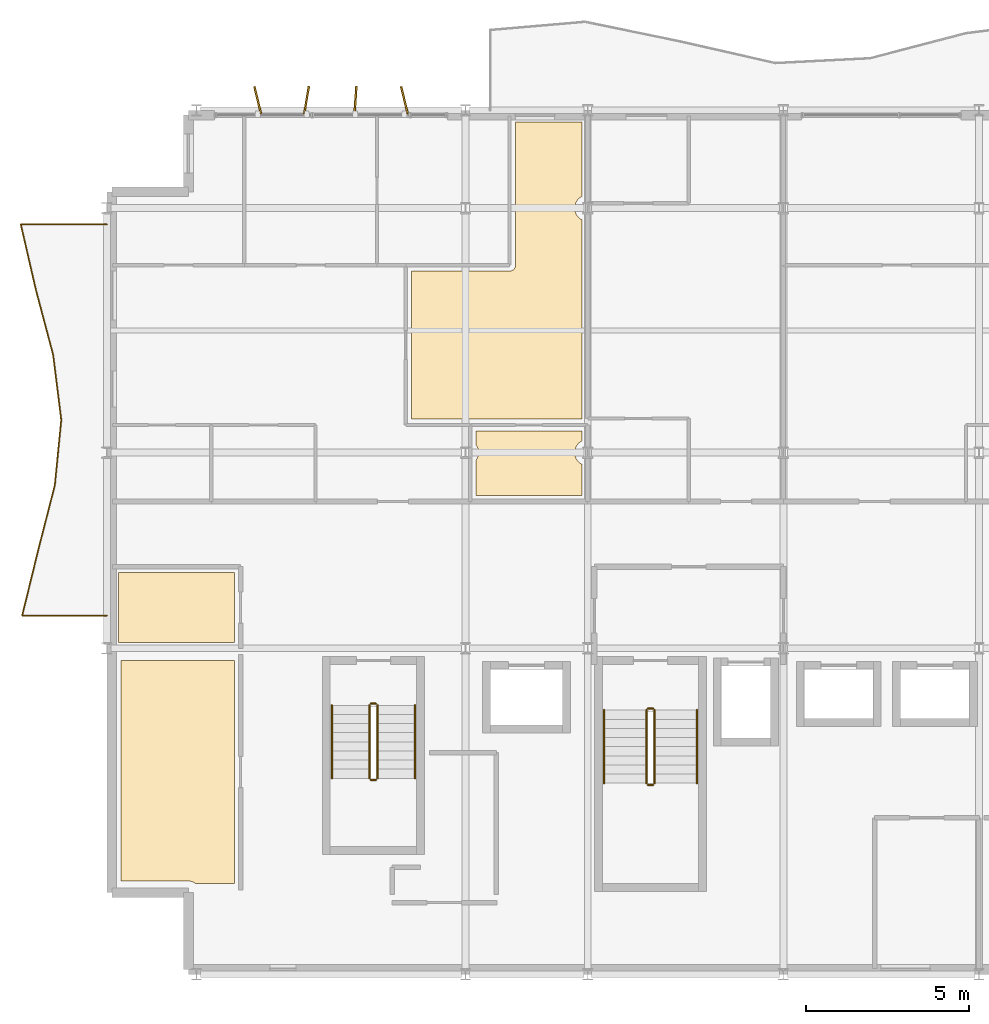
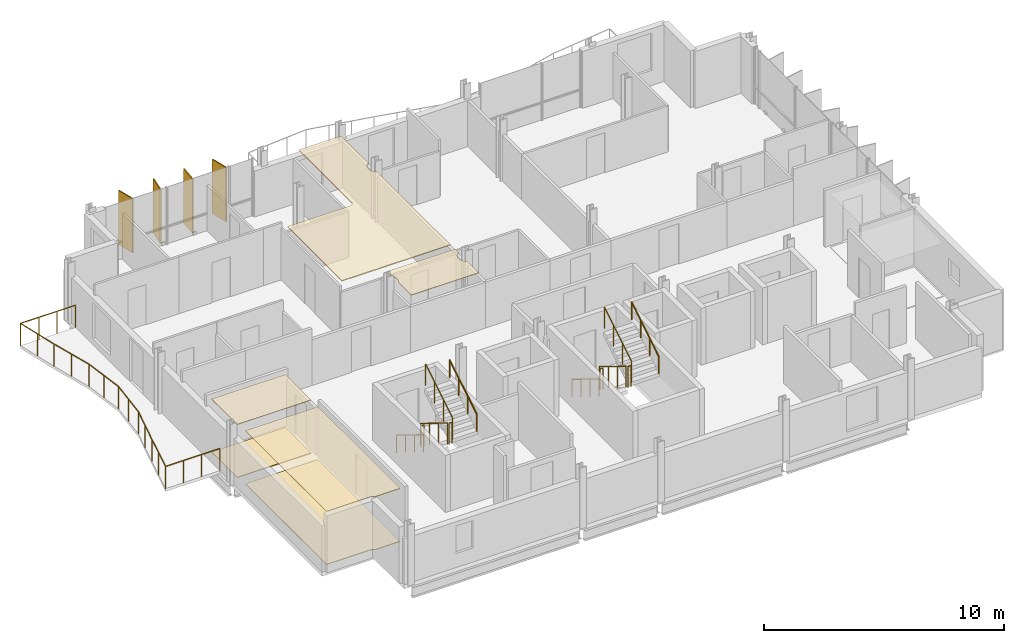
# One storey, part 12 of 13: 13 railings, 6 coverings, 4 shading devices.
"""IFC4 building model written with IfcOpenShell, lengths in metres."""

from ifc_helpers import new_model, si_unit, direction, frame, origin, origin_2d, place, context, subcontext, project, spatial, polyline, rectangle, circle, outline, extrude, material, layer, layer_set, type_object, element, save


model = new_model("IFC4")

# Units and contexts
model_context = context("Model", 3, precision=1e-05, world=origin(), true_north=direction((0.0, 1.0)))
body_context = subcontext(model_context, "Body", "Model", "MODEL_VIEW")
ifc_project = project(units=[si_unit("LENGTHUNIT", "METRE"), si_unit("AREAUNIT", "SQUARE_METRE"), si_unit("VOLUMEUNIT", "CUBIC_METRE"), si_unit("PLANEANGLEUNIT", "RADIAN"), si_unit("MASSUNIT", "GRAM", prefix="KILO")], contexts=[model_context])

# Site, building, storey
site_placement = place(None, origin())
site = spatial("IfcSite", under=ifc_project, at=site_placement, CompositionType="ELEMENT")
building_placement = place(site_placement, origin())
building = spatial("IfcBuilding", under=site, at=building_placement, Name="Brevholm Reach", CompositionType="ELEMENT")
storey_placement = place(building_placement, frame((0.0, 0.0, 224.199951171875)))
storey = spatial("IfcBuildingStorey", under=building, at=storey_placement, Name="L68", CompositionType="ELEMENT", Elevation=224.199951171875)

# Coverings
ifc_material_1 = material(Name="Perforated Mineral-Fibre Class-A Acoustic Suspended Ceiling", Category="gypsum")
ifc_layer_1 = layer(ifc_material_1, 0.044921875)
ifc_layer_set_1 = layer_set([ifc_layer_1], Name="Perforated Mineral-Fibre Class-A Acoustic Suspended Ceiling")
covering_type_1 = type_object("IfcCoveringType", Name="COV-CLG-AC", PredefinedType="CEILING", material=ifc_layer_set_1)
covering_1_placement = place(storey_placement, frame((0.0, 0.0, 2.675048828125)))
element("IfcCovering", 1, at=covering_1_placement, inside=storey, type_object=covering_type_1, Name="L68 Suspended Ceiling L68-29", PredefinedType="CEILING", context=body_context, shape_type="SweptSolid", body=[
    extrude(outline(polyline([(36.597900390625, 17.030029296875), (36.597900390625, 21.566162109375), (39.603515625, 21.56689453125), (39.62109375, 21.56787109375), (39.638671875, 21.5703125), (39.65576171875, 21.57470703125), (39.67236328125, 21.58056640625), (39.6884765625, 21.588134765625), (39.70361328125, 21.59716796875), (39.7177734375, 21.60791015625), (39.730712890625, 21.61962890625), (39.74267578125, 21.6328125), (39.753173828125, 21.64697265625), (39.76220703125, 21.662109375), (39.769775390625, 21.677978515625), (39.775634765625, 21.694580078125), (39.780029296875, 21.711669921875), (39.78271484375, 21.729248046875), (39.783447265625, 21.746826171875), (39.784912109375, 26.139892578125), (41.820068359375, 26.139892578125), (41.820068359375, 23.856689453125), (41.811279296875, 23.852783203125), (41.77783203125, 23.83251953125), (41.74609375, 23.80908203125), (41.71728515625, 23.78271484375), (41.69091796875, 23.75390625), (41.66748046875, 23.72216796875), (41.647216796875, 23.688720703125), (41.63037109375, 23.653076171875), (41.6171875, 23.6162109375), (41.607666015625, 23.577880859375), (41.601806640625, 23.539306640625), (41.60009765625, 23.5), (41.601806640625, 23.460693359375), (41.607666015625, 23.422119140625), (41.6171875, 23.3837890625), (41.63037109375, 23.346923828125), (41.647216796875, 23.311279296875), (41.66748046875, 23.27783203125), (41.69091796875, 23.24609375), (41.71728515625, 23.21728515625), (41.74609375, 23.19091796875), (41.77783203125, 23.16748046875), (41.811279296875, 23.147216796875), (41.820068359375, 23.143310546875), (41.820068359375, 17.033935546875), (38.39990234375, 17.033935546875), (38.38232421875, 17.033203125), (38.364990234375, 17.030517578125), (38.36279296875, 17.030029296875), (36.597900390625, 17.030029296875)])), origin(), (0.0, 0.0, 1.0), 0.044921875),
])
ifc_material_2 = material(Name="Moisture-Resistant Skimmed Gypsum Plasterboard Ceiling", Category="gypsum")
ifc_layer_2 = layer(ifc_material_2, 0.030029296875)
ifc_layer_set_2 = layer_set([ifc_layer_2], Name="Moisture-Resistant Skimmed Gypsum Plasterboard Ceiling")
covering_type_2 = type_object("IfcCoveringType", Name="COV-CLG-GYP", PredefinedType="CEILING", material=ifc_layer_set_2)
covering_2_placement = place(storey_placement, frame((0.0, 0.0, 2.68994140625)))
element("IfcCovering", 2, at=covering_2_placement, inside=storey, type_object=covering_type_2, Name="L68 Suspended Ceiling L68-11", PredefinedType="CEILING", context=body_context, shape_type="SweptSolid", body=[
    extrude(outline(polyline([(31.166015625, 9.6201171875), (31.166015625, 2.780029296875), (29.9736328125, 2.780029296875), (29.94189453125, 2.803466796875), (29.92724609375, 2.81298828125), (29.911865234375, 2.821533203125), (29.8955078125, 2.828125), (29.845703125, 2.845947265625), (29.82470703125, 2.85205078125), (29.802978515625, 2.855712890625), (29.767822265625, 2.859130859375), (29.75, 2.860107421875), (27.679931640625, 2.860107421875), (27.679931640625, 9.6201171875), (31.166015625, 9.6201171875)])), origin(), (0.0, 0.0, 1.0), 0.030029296875),
])
covering_3_placement = place(storey_placement, frame((0.0, 0.0, 2.68994140625)))
element("IfcCovering", 3, at=covering_3_placement, inside=storey, type_object=covering_type_2, Name="L68 Suspended Ceiling L68-22", PredefinedType="CEILING", context=body_context, shape_type="SweptSolid", body=[
    extrude(outline(polyline([(27.610107421875, 10.179931640625), (27.610107421875, 12.31591796875), (31.166015625, 12.31591796875), (31.166015625, 10.179931640625), (27.610107421875, 10.179931640625)])), origin(), (0.0, 0.0, 1.0), 0.030029296875),
])
covering_4_placement = place(storey_placement, frame((0.0, 0.0, 2.68994140625)))
element("IfcCovering", 4, at=covering_4_placement, inside=storey, type_object=covering_type_2, Name="L68 Suspended Ceiling L68-25", PredefinedType="CEILING", context=body_context, shape_type="SweptSolid", body=[
    extrude(outline(polyline([(38.580078125, 15.7744140625), (38.58251953125, 15.77783203125), (38.602783203125, 15.811279296875), (38.61962890625, 15.846923828125), (38.6328125, 15.8837890625), (38.642333984375, 15.922119140625), (38.648193359375, 15.960693359375), (38.64990234375, 16.0), (38.648193359375, 16.039306640625), (38.642333984375, 16.077880859375), (38.6328125, 16.1162109375), (38.61962890625, 16.153076171875), (38.602783203125, 16.188720703125), (38.58251953125, 16.22216796875), (38.580078125, 16.2255859375), (38.580078125, 16.669921875), (41.820068359375, 16.669921875), (41.820068359375, 16.356689453125), (41.811279296875, 16.352783203125), (41.77783203125, 16.33251953125), (41.74609375, 16.30908203125), (41.71728515625, 16.28271484375), (41.69091796875, 16.25390625), (41.66748046875, 16.22216796875), (41.647216796875, 16.188720703125), (41.63037109375, 16.153076171875), (41.6171875, 16.1162109375), (41.607666015625, 16.077880859375), (41.601806640625, 16.039306640625), (41.60009765625, 16.0), (41.601806640625, 15.960693359375), (41.607666015625, 15.922119140625), (41.6171875, 15.8837890625), (41.63037109375, 15.846923828125), (41.647216796875, 15.811279296875), (41.66748046875, 15.77783203125), (41.69091796875, 15.74609375), (41.71728515625, 15.71728515625), (41.74609375, 15.69091796875), (41.77783203125, 15.66748046875), (41.811279296875, 15.647216796875), (41.820068359375, 15.643310546875), (41.820068359375, 14.68408203125), (38.580078125, 14.68408203125), (38.580078125, 15.7744140625)])), origin(), (0.0, 0.0, 1.0), 0.030029296875),
])
ifc_material_3 = material(Name="Honed Portland-Aggregate Resin Terrazzo Flooring", Category="concrete")
ifc_layer_3 = layer(ifc_material_3, 0.031982421875)
ifc_layer_set_3 = layer_set([ifc_layer_3], Name="Honed Portland-Aggregate Resin Terrazzo Flooring")
covering_type_3 = type_object("IfcCoveringType", Name="COV-FLR-TRZ", PredefinedType="FLOORING", material=ifc_layer_set_3)
covering_5_placement = place(storey_placement, origin())
element("IfcCovering", 5, at=covering_5_placement, inside=storey, type_object=covering_type_3, Name="L68 Floor Finish L68-11", PredefinedType="FLOORING", context=body_context, shape_type="SweptSolid", body=[
    extrude(outline(polyline([(31.166015625, 9.6201171875), (31.166015625, 2.780029296875), (29.9736328125, 2.780029296875), (29.94189453125, 2.803466796875), (29.92724609375, 2.81298828125), (29.911865234375, 2.821533203125), (29.8955078125, 2.828125), (29.845703125, 2.845947265625), (29.82470703125, 2.85205078125), (29.802978515625, 2.855712890625), (29.767822265625, 2.859130859375), (29.75, 2.860107421875), (27.679931640625, 2.860107421875), (27.679931640625, 9.6201171875), (31.166015625, 9.6201171875)])), origin(), (0.0, 0.0, 1.0), 0.031982421875),
])
covering_6_placement = place(storey_placement, origin())
element("IfcCovering", 6, at=covering_6_placement, inside=storey, type_object=covering_type_3, Name="L68 Floor Finish L68-22", PredefinedType="FLOORING", context=body_context, shape_type="SweptSolid", body=[
    extrude(outline(polyline([(27.610107421875, 10.179931640625), (27.610107421875, 12.31591796875), (31.166015625, 12.31591796875), (31.166015625, 10.179931640625), (27.610107421875, 10.179931640625)])), origin(), (0.0, 0.0, 1.0), 0.031982421875),
])

# Railings
ifc_material_4 = material(Name="Brushed Stainless Steel EN 1.4401 and Laminated Glass", Category="steel")
railing_type_1 = type_object("IfcRailingType", Name="RAL-BALC-1150", PredefinedType="BALUSTRADE", material=ifc_material_4)
railing_1_placement = place(storey_placement, frame((27.25, 23.0, 0.0)))
element("IfcRailing", 7, at=railing_1_placement, inside=storey, type_object=railing_type_1, Name="L68 Guard Balustrade RAL-L68-BAL-SLOT", PredefinedType="BALUSTRADE", context=body_context, shape_type="SweptSolid", body=[
    extrude(circle(Radius=0.02392578125, at=origin_2d()), frame((0.0, 0.0, 1.1259765625), z_axis=(-1.0, 0.0, 0.0), x_axis=(0.0, -1.0, 0.0)), (0.0, 0.0, 1.0), 2.64111328125),
    extrude(circle(Radius=0.02392578125, at=origin_2d()), frame((-2.64111328125, 0.0, 1.1259765625), z_axis=(0.224355574123, -0.974507350593, 0.0), x_axis=(0.974507350593, 0.224355574123, 0.0)), (0.0, 0.0, 1.0), 2.05224609375),
    extrude(circle(Radius=0.02392578125, at=origin_2d()), frame((-2.1806640625, -2.0, 1.1259765625), z_axis=(0.256391956145, -0.966572896798, 0.0), x_axis=(0.966572896798, 0.256391956145, 0.0)), (0.0, 0.0, 1.0), 2.069091796875),
    extrude(circle(Radius=0.02392578125, at=origin_2d()), frame((-1.650146484375, -4.0, 1.1259765625), z_axis=(0.123676917918, -0.992322538278, 0.0), x_axis=(0.992322538278, 0.123676917918, 0.0)), (0.0, 0.0, 1.0), 2.015380859375),
    extrude(circle(Radius=0.02392578125, at=origin_2d()), frame((-1.40087890625, -6.0, 1.1259765625), z_axis=(-0.097915884232, -0.995194694326, 0.0), x_axis=(0.995194694326, -0.097915884232, 0.0)), (0.0, 0.0, 1.0), 2.009765625),
    extrude(circle(Radius=0.02392578125, at=origin_2d()), frame((-1.59765625, -8.0, 1.1259765625), z_axis=(-0.248318451278, -0.968678453748, 0.0), x_axis=(0.968678453748, -0.248318451278, 0.0)), (0.0, 0.0, 1.0), 2.064697265625),
    extrude(circle(Radius=0.02392578125, at=origin_2d()), frame((-2.1103515625, -10.0, 1.1259765625), z_axis=(-0.23762216248, -0.971357662192, 0.0), x_axis=(0.971357662192, -0.23762216248, 0.0)), (0.0, 0.0, 1.0), 2.05908203125),
    extrude(circle(Radius=0.02392578125, at=origin_2d()), frame((-2.599609375, -12.0, 1.1259765625), z_axis=(1.0, 0.0, 0.0), x_axis=(0.0, 1.0, 0.0)), (0.0, 0.0, 1.0), 2.599609375),
    extrude(circle(Radius=0.02099609375, at=origin_2d()), origin(), (0.0, 0.0, 1.0), 1.101806640625),
    extrude(circle(Radius=0.02099609375, at=origin_2d()), frame((-0.88037109375, 0.0, 0.0)), (0.0, 0.0, 1.0), 1.101806640625),
    extrude(circle(Radius=0.02099609375, at=origin_2d()), frame((-1.7607421875, 0.0, 0.0)), (0.0, 0.0, 1.0), 1.101806640625),
    extrude(circle(Radius=0.02099609375, at=origin_2d()), frame((-2.64111328125, 0.0, 0.0)), (0.0, 0.0, 1.0), 1.101806640625),
    extrude(circle(Radius=0.02099609375, at=origin_2d()), frame((-2.410888671875, -1.0, 0.0)), (0.0, 0.0, 1.0), 1.101806640625),
    extrude(circle(Radius=0.02099609375, at=origin_2d()), frame((-2.1806640625, -2.0, 0.0)), (0.0, 0.0, 1.0), 1.101806640625),
    extrude(circle(Radius=0.02099609375, at=origin_2d()), frame((-1.91552734375, -3.0, 0.0)), (0.0, 0.0, 1.0), 1.101806640625),
    extrude(circle(Radius=0.02099609375, at=origin_2d()), frame((-1.650146484375, -4.0, 0.0)), (0.0, 0.0, 1.0), 1.101806640625),
    extrude(circle(Radius=0.02099609375, at=origin_2d()), frame((-1.525390625, -5.0, 0.0)), (0.0, 0.0, 1.0), 1.101806640625),
    extrude(circle(Radius=0.02099609375, at=origin_2d()), frame((-1.40087890625, -6.0, 0.0)), (0.0, 0.0, 1.0), 1.101806640625),
    extrude(circle(Radius=0.02099609375, at=origin_2d()), frame((-1.499267578125, -7.0, 0.0)), (0.0, 0.0, 1.0), 1.101806640625),
    extrude(circle(Radius=0.02099609375, at=origin_2d()), frame((-1.59765625, -8.0, 0.0)), (0.0, 0.0, 1.0), 1.101806640625),
    extrude(circle(Radius=0.02099609375, at=origin_2d()), frame((-1.85400390625, -9.0, 0.0)), (0.0, 0.0, 1.0), 1.101806640625),
    extrude(circle(Radius=0.02099609375, at=origin_2d()), frame((-2.1103515625, -10.0, 0.0)), (0.0, 0.0, 1.0), 1.101806640625),
    extrude(circle(Radius=0.02099609375, at=origin_2d()), frame((-2.35498046875, -11.0, 0.0)), (0.0, 0.0, 1.0), 1.101806640625),
    extrude(circle(Radius=0.02099609375, at=origin_2d()), frame((-2.599609375, -12.0, 0.0)), (0.0, 0.0, 1.0), 1.101806640625),
    extrude(circle(Radius=0.02099609375, at=origin_2d()), frame((-1.733154296875, -12.0, 0.0)), (0.0, 0.0, 1.0), 1.101806640625),
    extrude(circle(Radius=0.02099609375, at=origin_2d()), frame((-0.866455078125, -12.0, 0.0)), (0.0, 0.0, 1.0), 1.101806640625),
    extrude(circle(Radius=0.02099609375, at=origin_2d()), frame((0.0, -12.0, 0.0)), (0.0, 0.0, 1.0), 1.101806640625),
])
ifc_material_5 = material(Name="Brushed Stainless Steel EN 1.4401 Continuous Handrail", Category="steel")
railing_type_2 = type_object("IfcRailingType", Name="RAL-HND-950", PredefinedType="HANDRAIL", material=ifc_material_5)
railing_2_placement = place(storey_placement, frame((42.5, 8.10009765625, 0.17236328125)))
element("IfcRailing", 8, at=railing_2_placement, inside=storey, type_object=railing_type_2, Name="L68 ST-2 stair handrail 1", PredefinedType="HANDRAIL", context=body_context, shape_type="SweptSolid", body=[
    extrude(circle(Radius=0.02392578125, at=origin_2d()), frame((0.0, 0.0, 0.8857421875), z_axis=(0.0, -0.85178898068, 0.523885037382), x_axis=(1.0, 0.0, 0.0)), (0.0, 0.0, 1.0), 2.629638671875),
    extrude(circle(Radius=0.02099609375, at=origin_2d()), origin(), (0.0, 0.0, 1.0), 0.86181640625),
    extrude(circle(Radius=0.02099609375, at=origin_2d()), frame((0.0, -0.74658203125, 0.459228515625)), (0.0, 0.0, 1.0), 0.86181640625),
    extrude(circle(Radius=0.02099609375, at=origin_2d()), frame((0.0, -1.493408203125, 0.91845703125)), (0.0, 0.0, 1.0), 0.86181640625),
    extrude(circle(Radius=0.02099609375, at=origin_2d()), frame((0.0, -2.239990234375, 1.377685546875)), (0.0, 0.0, 1.0), 0.86181640625),
])
railing_3_placement = place(storey_placement, frame((45.35009765625, 5.860107421875, 1.72216796875)))
element("IfcRailing", 9, at=railing_3_placement, inside=storey, type_object=railing_type_2, Name="L68 ST-2 stair handrail 2", PredefinedType="HANDRAIL", context=body_context, shape_type="SweptSolid", body=[
    extrude(circle(Radius=0.02392578125, at=origin_2d()), frame((0.0, 0.0, 0.8857421875), z_axis=(0.0, 0.851747552033, 0.523952390591), x_axis=(-1.0, 0.0, 0.0)), (0.0, 0.0, 1.0), 2.6298828125),
    extrude(circle(Radius=0.02099609375, at=origin_2d()), origin(), (0.0, 0.0, 1.0), 0.86181640625),
    extrude(circle(Radius=0.02099609375, at=origin_2d()), frame((0.0, 0.74658203125, 0.459228515625)), (0.0, 0.0, 1.0), 0.86181640625),
    extrude(circle(Radius=0.02099609375, at=origin_2d()), frame((0.0, 1.493408203125, 0.918701171875)), (0.0, 0.0, 1.0), 0.86181640625),
    extrude(circle(Radius=0.02099609375, at=origin_2d()), frame((0.0, 2.239990234375, 1.3779296875)), (0.0, 0.0, 1.0), 0.86181640625),
])
railing_4_placement = place(storey_placement, frame((34.14990234375, 8.25, 0.17236328125)))
element("IfcRailing", 10, at=railing_4_placement, inside=storey, type_object=railing_type_2, Name="L68 ST-3 stair handrail 1", PredefinedType="HANDRAIL", context=body_context, shape_type="SweptSolid", body=[
    extrude(circle(Radius=0.02392578125, at=origin_2d()), frame((0.0, 0.0, 0.8857421875), z_axis=(0.0, -0.85178898068, 0.523885037382), x_axis=(1.0, 0.0, 0.0)), (0.0, 0.0, 1.0), 2.629638671875),
    extrude(circle(Radius=0.02099609375, at=origin_2d()), origin(), (0.0, 0.0, 1.0), 0.86181640625),
    extrude(circle(Radius=0.02099609375, at=origin_2d()), frame((0.0, -0.74658203125, 0.459228515625)), (0.0, 0.0, 1.0), 0.86181640625),
    extrude(circle(Radius=0.02099609375, at=origin_2d()), frame((0.0, -1.493408203125, 0.91845703125)), (0.0, 0.0, 1.0), 0.86181640625),
    extrude(circle(Radius=0.02099609375, at=origin_2d()), frame((0.0, -2.239990234375, 1.377685546875)), (0.0, 0.0, 1.0), 0.86181640625),
])
railing_5_placement = place(storey_placement, frame((36.699951171875, 6.010009765625, 1.72216796875)))
element("IfcRailing", 11, at=railing_5_placement, inside=storey, type_object=railing_type_2, Name="L68 ST-3 stair handrail 2", PredefinedType="HANDRAIL", context=body_context, shape_type="SweptSolid", body=[
    extrude(circle(Radius=0.02392578125, at=origin_2d()), frame((0.0, 0.0, 0.8857421875), z_axis=(0.0, 0.851747552033, 0.523952390591), x_axis=(-1.0, 0.0, 0.0)), (0.0, 0.0, 1.0), 2.6298828125),
    extrude(circle(Radius=0.02099609375, at=origin_2d()), origin(), (0.0, 0.0, 1.0), 0.86181640625),
    extrude(circle(Radius=0.02099609375, at=origin_2d()), frame((0.0, 0.74658203125, 0.459228515625)), (0.0, 0.0, 1.0), 0.86181640625),
    extrude(circle(Radius=0.02099609375, at=origin_2d()), frame((0.0, 1.493408203125, 0.918701171875)), (0.0, 0.0, 1.0), 0.86181640625),
    extrude(circle(Radius=0.02099609375, at=origin_2d()), frame((0.0, 2.239990234375, 1.3779296875)), (0.0, 0.0, 1.0), 0.86181640625),
])
ifc_material_6 = material(Name="Painted Tubular Galvanised Steel S275JR Stair Guard", Category="steel")
railing_type_3 = type_object("IfcRailingType", Name="RAL-STG-1120", PredefinedType="BALUSTRADE", material=ifc_material_6)
railing_6_placement = place(storey_placement, frame((43.800048828125, 8.10009765625, 0.17236328125)))
element("IfcRailing", 12, at=railing_6_placement, inside=storey, type_object=railing_type_3, Name="L68 ST-2 stair guard 1", PredefinedType="BALUSTRADE", context=body_context, shape_type="SweptSolid", body=[
    extrude(circle(Radius=0.02392578125, at=origin_2d()), frame((0.0, 0.0, 1.076171875), z_axis=(0.0, -0.85178898068, 0.523885037382), x_axis=(1.0, 0.0, 0.0)), (0.0, 0.0, 1.0), 2.629638671875),
    extrude(circle(Radius=0.02099609375, at=origin_2d()), origin(), (0.0, 0.0, 1.0), 1.052001953125),
    extrude(circle(Radius=0.02099609375, at=origin_2d()), frame((0.0, -0.74658203125, 0.459228515625)), (0.0, 0.0, 1.0), 1.052001953125),
    extrude(circle(Radius=0.02099609375, at=origin_2d()), frame((0.0, -1.493408203125, 0.91845703125)), (0.0, 0.0, 1.0), 1.052001953125),
    extrude(circle(Radius=0.02099609375, at=origin_2d()), frame((0.0, -2.239990234375, 1.377685546875)), (0.0, 0.0, 1.0), 1.052001953125),
])
railing_7_placement = place(storey_placement, frame((43.85009765625, 5.81005859375, 1.550048828125)))
element("IfcRailing", 13, at=railing_7_placement, inside=storey, type_object=railing_type_3, Name="L68 ST-2 stair guard 2", PredefinedType="BALUSTRADE", context=body_context, shape_type="SweptSolid", body=[
    extrude(circle(Radius=0.02392578125, at=origin_2d()), frame((0.0, 0.0, 1.076171875), z_axis=(1.0, 0.0, 0.0), x_axis=(0.0, 1.0, 0.0)), (0.0, 0.0, 1.0), 0.14990234375),
    extrude(circle(Radius=0.02099609375, at=origin_2d()), origin(), (0.0, 0.0, 1.0), 1.052001953125),
    extrude(circle(Radius=0.02099609375, at=origin_2d()), frame((0.14990234375, 0.0, 0.0)), (0.0, 0.0, 1.0), 1.052001953125),
])
railing_8_placement = place(storey_placement, frame((44.050048828125, 5.860107421875, 1.72216796875)))
element("IfcRailing", 14, at=railing_8_placement, inside=storey, type_object=railing_type_3, Name="L68 ST-2 stair guard 3", PredefinedType="BALUSTRADE", context=body_context, shape_type="SweptSolid", body=[
    extrude(circle(Radius=0.02392578125, at=origin_2d()), frame((0.0, 0.0, 1.076171875), z_axis=(0.0, 0.851747552033, 0.523952390591), x_axis=(-1.0, 0.0, 0.0)), (0.0, 0.0, 1.0), 2.6298828125),
    extrude(circle(Radius=0.02099609375, at=origin_2d()), origin(), (0.0, 0.0, 1.0), 1.052001953125),
    extrude(circle(Radius=0.02099609375, at=origin_2d()), frame((0.0, 0.74658203125, 0.459228515625)), (0.0, 0.0, 1.0), 1.052001953125),
    extrude(circle(Radius=0.02099609375, at=origin_2d()), frame((0.0, 1.493408203125, 0.918701171875)), (0.0, 0.0, 1.0), 1.052001953125),
    extrude(circle(Radius=0.02099609375, at=origin_2d()), frame((0.0, 2.239990234375, 1.3779296875)), (0.0, 0.0, 1.0), 1.052001953125),
])
railing_9_placement = place(storey_placement, frame((43.85009765625, 8.14990234375, 0.0)))
element("IfcRailing", 15, at=railing_9_placement, inside=storey, type_object=railing_type_3, Name="L68 ST-2 stair guard 4", PredefinedType="BALUSTRADE", context=body_context, shape_type="SweptSolid", body=[
    extrude(circle(Radius=0.02392578125, at=origin_2d()), frame((0.0, 0.0, 1.076171875), z_axis=(1.0, 0.0, 0.0), x_axis=(0.0, 1.0, 0.0)), (0.0, 0.0, 1.0), 0.14990234375),
    extrude(circle(Radius=0.02099609375, at=origin_2d()), origin(), (0.0, 0.0, 1.0), 1.052001953125),
    extrude(circle(Radius=0.02099609375, at=origin_2d()), frame((0.14990234375, 0.0, 0.0)), (0.0, 0.0, 1.0), 1.052001953125),
])
railing_10_placement = place(storey_placement, frame((35.300048828125, 8.25, 0.17236328125)))
element("IfcRailing", 16, at=railing_10_placement, inside=storey, type_object=railing_type_3, Name="L68 ST-3 stair guard 1", PredefinedType="BALUSTRADE", context=body_context, shape_type="SweptSolid", body=[
    extrude(circle(Radius=0.02392578125, at=origin_2d()), frame((0.0, 0.0, 1.076171875), z_axis=(0.0, -0.85178898068, 0.523885037382), x_axis=(1.0, 0.0, 0.0)), (0.0, 0.0, 1.0), 2.629638671875),
    extrude(circle(Radius=0.02099609375, at=origin_2d()), origin(), (0.0, 0.0, 1.0), 1.052001953125),
    extrude(circle(Radius=0.02099609375, at=origin_2d()), frame((0.0, -0.74658203125, 0.459228515625)), (0.0, 0.0, 1.0), 1.052001953125),
    extrude(circle(Radius=0.02099609375, at=origin_2d()), frame((0.0, -1.493408203125, 0.91845703125)), (0.0, 0.0, 1.0), 1.052001953125),
    extrude(circle(Radius=0.02099609375, at=origin_2d()), frame((0.0, -2.239990234375, 1.377685546875)), (0.0, 0.0, 1.0), 1.052001953125),
])
railing_11_placement = place(storey_placement, frame((35.35009765625, 5.9599609375, 1.550048828125)))
element("IfcRailing", 17, at=railing_11_placement, inside=storey, type_object=railing_type_3, Name="L68 ST-3 stair guard 2", PredefinedType="BALUSTRADE", context=body_context, shape_type="SweptSolid", body=[
    extrude(circle(Radius=0.02392578125, at=origin_2d()), frame((0.0, 0.0, 1.076171875), z_axis=(1.0, 0.0, 0.0), x_axis=(0.0, 1.0, 0.0)), (0.0, 0.0, 1.0), 0.14990234375),
    extrude(circle(Radius=0.02099609375, at=origin_2d()), origin(), (0.0, 0.0, 1.0), 1.052001953125),
    extrude(circle(Radius=0.02099609375, at=origin_2d()), frame((0.14990234375, 0.0, 0.0)), (0.0, 0.0, 1.0), 1.052001953125),
])
railing_12_placement = place(storey_placement, frame((35.550048828125, 6.010009765625, 1.72216796875)))
element("IfcRailing", 18, at=railing_12_placement, inside=storey, type_object=railing_type_3, Name="L68 ST-3 stair guard 3", PredefinedType="BALUSTRADE", context=body_context, shape_type="SweptSolid", body=[
    extrude(circle(Radius=0.02392578125, at=origin_2d()), frame((0.0, 0.0, 1.076171875), z_axis=(0.0, 0.851747552033, 0.523952390591), x_axis=(-1.0, 0.0, 0.0)), (0.0, 0.0, 1.0), 2.6298828125),
    extrude(circle(Radius=0.02099609375, at=origin_2d()), origin(), (0.0, 0.0, 1.0), 1.052001953125),
    extrude(circle(Radius=0.02099609375, at=origin_2d()), frame((0.0, 0.74658203125, 0.459228515625)), (0.0, 0.0, 1.0), 1.052001953125),
    extrude(circle(Radius=0.02099609375, at=origin_2d()), frame((0.0, 1.493408203125, 0.918701171875)), (0.0, 0.0, 1.0), 1.052001953125),
    extrude(circle(Radius=0.02099609375, at=origin_2d()), frame((0.0, 2.239990234375, 1.3779296875)), (0.0, 0.0, 1.0), 1.052001953125),
])
railing_13_placement = place(storey_placement, frame((35.35009765625, 8.300048828125, 0.0)))
element("IfcRailing", 19, at=railing_13_placement, inside=storey, type_object=railing_type_3, Name="L68 ST-3 stair guard 4", PredefinedType="BALUSTRADE", context=body_context, shape_type="SweptSolid", body=[
    extrude(circle(Radius=0.02392578125, at=origin_2d()), frame((0.0, 0.0, 1.076171875), z_axis=(1.0, 0.0, 0.0), x_axis=(0.0, 1.0, 0.0)), (0.0, 0.0, 1.0), 0.14990234375),
    extrude(circle(Radius=0.02099609375, at=origin_2d()), origin(), (0.0, 0.0, 1.0), 1.052001953125),
    extrude(circle(Radius=0.02099609375, at=origin_2d()), frame((0.14990234375, 0.0, 0.0)), (0.0, 0.0, 1.0), 1.052001953125),
])

# Shading devices
ifc_material_7 = material(Name="Perforated Champagne-Bronze Anodised Aluminium", Category="aluminium")
ifc_layer_4 = layer(ifc_material_7, 0.054931640625)
ifc_layer_set_4 = layer_set([ifc_layer_4], Name="Perforated Champagne-Bronze Anodised Aluminium")
shading_device_type = type_object("IfcShadingDeviceType", Name="SHD-FIN-850", PredefinedType="USERDEFINED", material=ifc_layer_set_4)
for number, where, z_axis, x_axis, name in (
    (20, (31.875, 26.81494140625, 0.070068359375), (0.0, 0.0, 1.0), (-0.235226931805, 0.971940476857, 0.0), "L68 Perforated Solar Screen Fin 1"),
    (21, (33.375, 26.81494140625, 0.070068359375), (0.0, 0.0, 1.0), (0.167835599259, 0.985814998679, 0.0), "L68 Perforated Solar Screen Fin 2"),
    (22, (34.875, 26.81494140625, 0.070068359375), (0.0, 0.0, 1.0), (0.068781437059, 0.99763175266, 0.0), "L68 Perforated Solar Screen Fin 3"),
    (23, (36.375, 26.81494140625, 0.070068359375), (0.0, 0.0, 1.0), (-0.235226931805, 0.971940476857, 0.0), "L68 Perforated Solar Screen Fin 4"),
):
    element("IfcShadingDevice", number, at=place(storey_placement, frame(where, z_axis=z_axis, x_axis=x_axis)), inside=storey, type_object=shading_device_type, Name=name, ObjectType="SCREEN", PredefinedType="USERDEFINED", context=body_context, shape_type="SweptSolid", body=[
        extrude(rectangle(XDim=0.85009765625, YDim=0.054931640625, at=origin_2d()), origin(), (0.0, 0.0, 1.0), 2.75),
    ])

save(model, "model.ifc")
